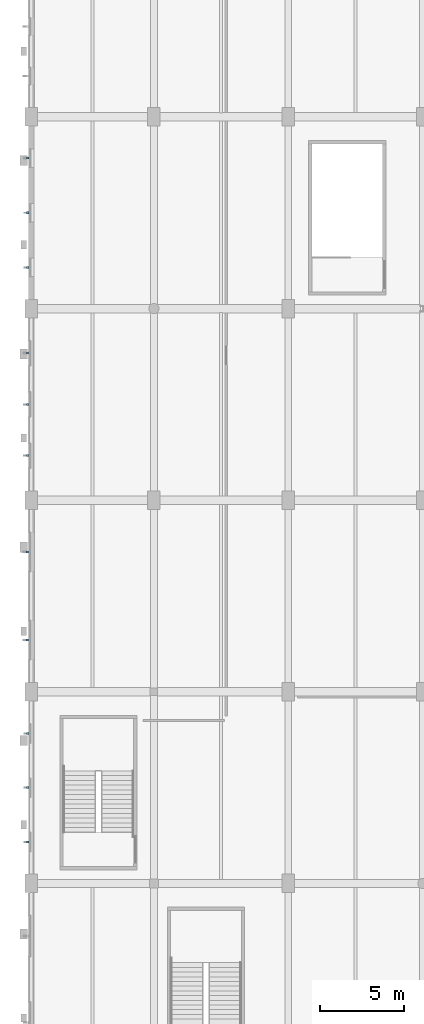
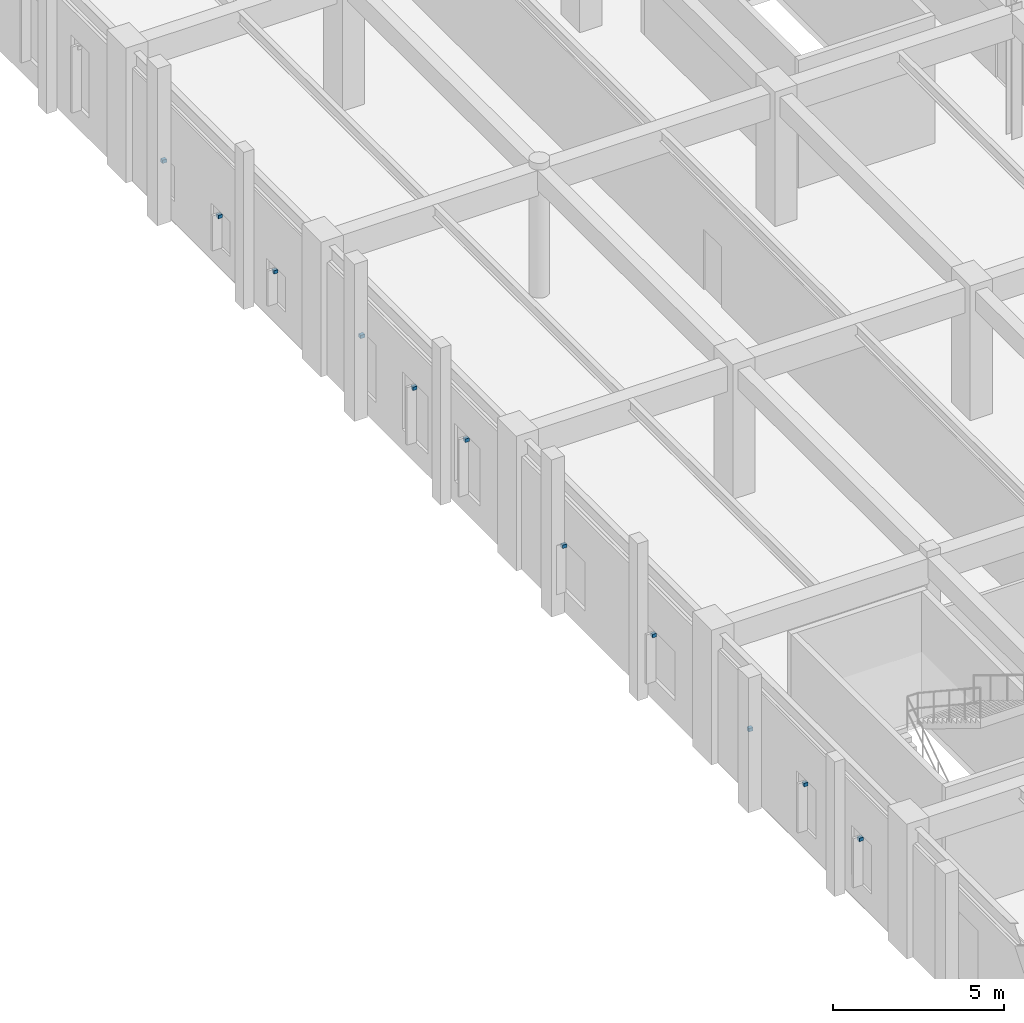
# One storey, part 93 of 106: 11 discrete accessories.
"""IFC4 building model written with IfcOpenShell, lengths in metres."""

from ifc_helpers import new_model, si_unit, direction, frame, origin, origin_2d, place, context, subcontext, project, spatial, rectangle, extrude, material, type_object, element, save


model = new_model("IFC4")

# Units and contexts
model_context = context("Model", 3, precision=1e-05, world=origin(), true_north=direction((0.0, 1.0)))
body_context = subcontext(model_context, "Body", "Model", "MODEL_VIEW")
ifc_project = project(units=[si_unit("LENGTHUNIT", "METRE"), si_unit("AREAUNIT", "SQUARE_METRE"), si_unit("VOLUMEUNIT", "CUBIC_METRE"), si_unit("PLANEANGLEUNIT", "RADIAN"), si_unit("MASSUNIT", "GRAM", prefix="KILO"), si_unit("POWERUNIT", "WATT"), si_unit("THERMODYNAMICTEMPERATUREUNIT", "KELVIN")], contexts=[model_context])

# Site, building, storey
site_placement = place(None, origin())
site = spatial("IfcSite", under=ifc_project, at=site_placement, CompositionType="ELEMENT")
building_placement = place(site_placement, origin())
building = spatial("IfcBuilding", under=site, at=building_placement, Name="Kelmbourne Parkland Aquatics Centre", CompositionType="ELEMENT")
storey_placement = place(building_placement, frame((0.0, 0.0, 5.39990234375)))
storey = spatial("IfcBuildingStorey", under=building, at=storey_placement, Name="L01", CompositionType="ELEMENT", Elevation=5.39990234375)

# Discrete accessories
ifc_material = material(Name="Hot-dip galvanised structural steel AS/NZS 4680", Category="steel")
discrete_accessory_type = type_object("IfcDiscreteAccessoryType", Name="ACC-BRK-1", PredefinedType="BRACKET", material=ifc_material)
for number, where, z_axis, x_axis, name in (
    (1, (0.5048828125, 37.47705078125, 2.340087890625), (0.0, 0.0, 1.0), (0.0, 1.0, 0.0), "Galvanised sunshade fixing bracket 080"),
    (2, (0.5048828125, 40.699951171875, 2.340087890625), (0.0, 0.0, 1.0), (0.0, 1.0, 0.0), "Galvanised sunshade fixing bracket 081"),
    (3, (0.5048828125, 43.923095703125, 2.340087890625), (0.0, 0.0, 1.0), (0.0, 1.0, 0.0), "Galvanised sunshade fixing bracket 082"),
    (4, (0.465087890625, 49.47705078125, 2.340087890625), (0.0, 0.0, 1.0), (0.0, 1.0, 0.0), "Galvanised sunshade fixing bracket 083"),
    (5, (0.465087890625, 54.722900390625, 2.340087890625), (0.0, 0.0, 1.0), (0.0, 1.0, 0.0), "Galvanised sunshade fixing bracket 084"),
    (6, (0.485107421875, 60.451904296875, 2.64013671875), (0.0, 0.0, 1.0), (0.0, 1.0, 0.0), "Galvanised sunshade fixing bracket 085"),
    (7, (0.485107421875, 63.5, 2.64013671875), (0.0, 0.0, 1.0), (0.0, 1.0, 0.0), "Galvanised sunshade fixing bracket 086"),
    (8, (0.485107421875, 66.548095703125, 2.64013671875), (0.0, 0.0, 1.0), (0.0, 1.0, 0.0), "Galvanised sunshade fixing bracket 087"),
    (9, (0.5048828125, 71.652099609375, 1.840087890625), (0.0, 0.0, 1.0), (0.0, 1.0, 0.0), "Galvanised sunshade fixing bracket 088"),
    (10, (0.5048828125, 74.89990234375, 1.840087890625), (0.0, 0.0, 1.0), (0.0, 1.0, 0.0), "Galvanised sunshade fixing bracket 089"),
    (11, (0.5048828125, 78.14794921875, 1.840087890625), (0.0, 0.0, 1.0), (0.0, 1.0, 0.0), "Galvanised sunshade fixing bracket 090"),
):
    element("IfcDiscreteAccessory", number, at=place(storey_placement, frame(where, z_axis=z_axis, x_axis=x_axis)), inside=storey, type_object=discrete_accessory_type, Name=name, PredefinedType="BRACKET", context=body_context, shape_type="SweptSolid", body=[
        extrude(rectangle(XDim=0.1201171875, YDim=0.139892578125, at=origin_2d()), origin(), (0.0, 0.0, 1.0), 0.1201171875),
    ])

save(model, "model.ifc")
